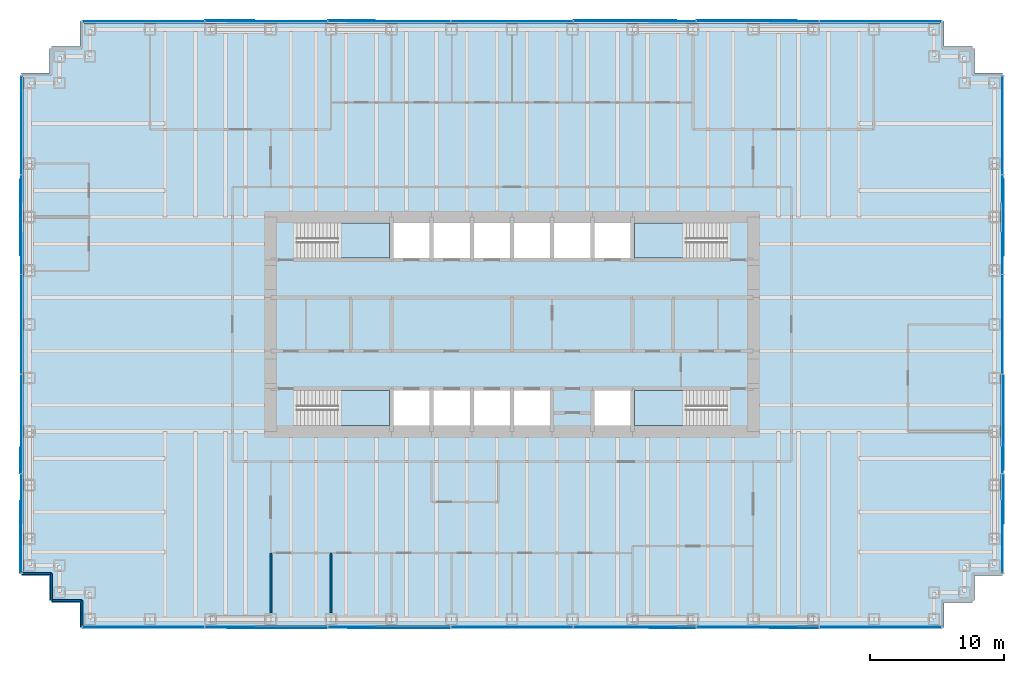
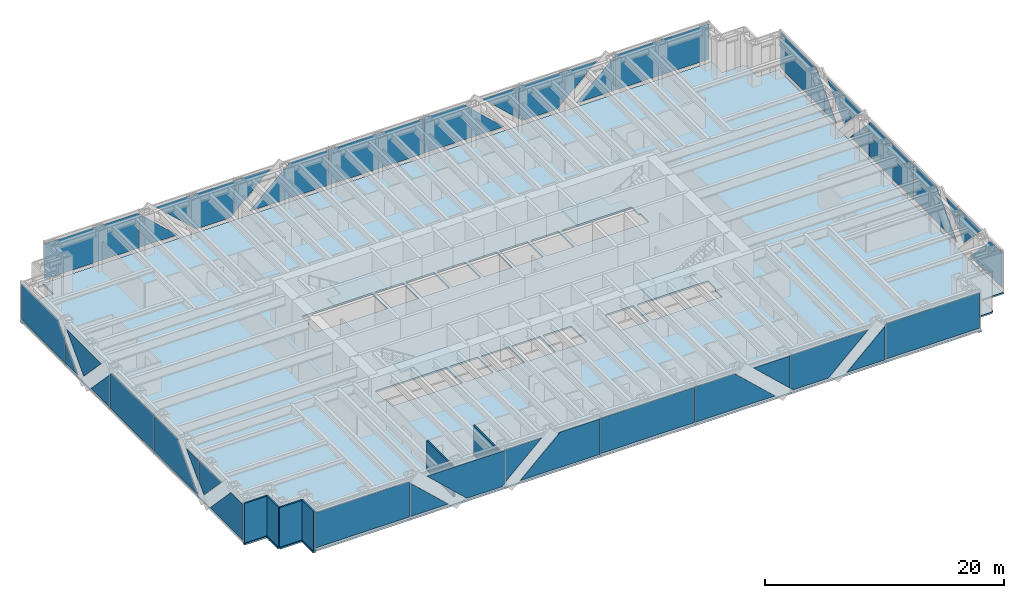
# One storey, part 10 of 15: 40 plates, 6 walls, 5 slabs, 8 elements without a shape of their own.
"""IFC4 building model written with IfcOpenShell, lengths in metres."""

from ifc_helpers import new_model, si_unit, direction, frame, frame_2d, origin, origin_2d, place, context, subcontext, project, spatial, polyline, rectangle, outline, extrude, material, layer, layer_set, type_object, element, aggregate, save


model = new_model("IFC4")

# Units and contexts
model_context = context("Model", 3, precision=1e-05, world=origin(), true_north=direction((0.0, 1.0)))
body_context = subcontext(model_context, "Body", "Model", "MODEL_VIEW")
ifc_project = project(units=[si_unit("LENGTHUNIT", "METRE"), si_unit("AREAUNIT", "SQUARE_METRE"), si_unit("VOLUMEUNIT", "CUBIC_METRE"), si_unit("PLANEANGLEUNIT", "RADIAN"), si_unit("MASSUNIT", "GRAM", prefix="KILO")], contexts=[model_context])

# Site, building, storey
site_placement = place(None, origin())
site = spatial("IfcSite", under=ifc_project, at=site_placement, CompositionType="ELEMENT")
building_placement = place(site_placement, origin())
building = spatial("IfcBuilding", under=site, at=building_placement, Name="Rheinbord Bourse Tower", CompositionType="ELEMENT")
storey_placement = place(building_placement, frame((0.0, 0.0, 113.10009765625)))
storey = spatial("IfcBuildingStorey", under=building, at=storey_placement, Name="L24", CompositionType="ELEMENT", Elevation=113.10009765625)

# Slab
ifc_material_1 = material(Name="Concrete C30/37", Category="concrete")
ifc_layer_1 = layer(ifc_material_1, 0.159912109375)
ifc_layer_set_1 = layer_set([ifc_layer_1], Name="COMPOSITE FLOOR SLAB 160")
slab_type_1 = type_object("IfcSlabType", Name="COMPOSITE FLOOR SLAB 160", PredefinedType="FLOOR", material=ifc_layer_set_1)
slab_1_placement = place(storey_placement, frame((0.0, 0.0, -0.16015625)))
element("IfcSlab", 1, at=slab_1_placement, inside=storey, type_object=slab_type_1, Name="Floor slab L24", PredefinedType="FLOOR", context=body_context, shape_type="SweptSolid", body=[
    extrude(outline(polyline([(1.64990234375, 3.39990234375), (1.5, 3.39990234375), (1.5, 5.25), (-0.60009765625, 5.25), (-0.60009765625, 5.550048828125), (-0.5, 5.550048828125), (-0.5, 42.449951171875), (-0.60009765625, 42.449951171875), (-0.60009765625, 42.75), (1.5, 42.75), (1.5, 44.60009765625), (1.64990234375, 44.60009765625), (1.64990234375, 44.75), (3.75, 44.75), (3.75, 46.60009765625), (4.050048828125, 46.60009765625), (4.050048828125, 46.5), (67.949951171875, 46.5), (67.949951171875, 46.60009765625), (68.25, 46.60009765625), (68.25, 44.75), (70.35009765625, 44.75), (70.35009765625, 44.60009765625), (70.5, 44.60009765625), (70.5, 42.75), (72.60009765625, 42.75), (72.60009765625, 42.449951171875), (72.5, 42.449951171875), (72.5, 5.550048828125), (72.60009765625, 5.550048828125), (72.60009765625, 5.25), (70.5, 5.25), (70.5, 3.39990234375), (70.35009765625, 3.39990234375), (70.35009765625, 3.25), (68.25, 3.25), (68.25, 1.39990234375), (67.949951171875, 1.39990234375), (67.949951171875, 1.5), (4.050048828125, 1.5), (4.050048828125, 1.39990234375), (3.75, 1.39990234375), (3.75, 3.25), (1.64990234375, 3.25), (1.64990234375, 3.39990234375)]), holes=[polyline([(19.949951171875, 19.050048828125), (26.85009765625, 19.050048828125), (26.85009765625, 16.449951171875), (20.10009765625, 16.449951171875), (20.10009765625, 17.64990234375), (19.949951171875, 17.64990234375), (19.949951171875, 19.050048828125)]), polyline([(26.85009765625, 31.550048828125), (26.85009765625, 28.949951171875), (19.949951171875, 28.949951171875), (19.949951171875, 30.35009765625), (20.10009765625, 30.35009765625), (20.10009765625, 31.550048828125), (26.85009765625, 31.550048828125)]), polyline([(45.14990234375, 16.449951171875), (45.14990234375, 19.050048828125), (52.050048828125, 19.050048828125), (52.050048828125, 17.64990234375), (51.89990234375, 17.64990234375), (51.89990234375, 16.449951171875), (45.14990234375, 16.449951171875)]), polyline([(52.050048828125, 28.949951171875), (45.14990234375, 28.949951171875), (45.14990234375, 31.550048828125), (51.89990234375, 31.550048828125), (51.89990234375, 30.35009765625), (52.050048828125, 30.35009765625), (52.050048828125, 28.949951171875)]), polyline([(27.14990234375, 16.449951171875), (27.14990234375, 19.050048828125), (29.85009765625, 19.050048828125), (29.85009765625, 16.449951171875), (27.14990234375, 16.449951171875)]), polyline([(27.14990234375, 28.949951171875), (27.14990234375, 31.550048828125), (29.85009765625, 31.550048828125), (29.85009765625, 28.949951171875), (27.14990234375, 28.949951171875)]), polyline([(30.14990234375, 16.449951171875), (30.14990234375, 19.050048828125), (32.85009765625, 19.050048828125), (32.85009765625, 16.449951171875), (30.14990234375, 16.449951171875)]), polyline([(30.14990234375, 28.949951171875), (30.14990234375, 31.550048828125), (32.85009765625, 31.550048828125), (32.85009765625, 28.949951171875), (30.14990234375, 28.949951171875)]), polyline([(33.14990234375, 16.449951171875), (33.14990234375, 19.050048828125), (35.85009765625, 19.050048828125), (35.85009765625, 16.449951171875), (33.14990234375, 16.449951171875)]), polyline([(33.14990234375, 28.949951171875), (33.14990234375, 31.550048828125), (35.85009765625, 31.550048828125), (35.85009765625, 28.949951171875), (33.14990234375, 28.949951171875)]), polyline([(36.14990234375, 16.449951171875), (36.14990234375, 19.050048828125), (38.85009765625, 19.050048828125), (38.85009765625, 16.449951171875), (36.14990234375, 16.449951171875)]), polyline([(36.14990234375, 28.949951171875), (36.14990234375, 31.550048828125), (38.85009765625, 31.550048828125), (38.85009765625, 28.949951171875), (36.14990234375, 28.949951171875)]), polyline([(39.14990234375, 28.949951171875), (39.14990234375, 31.550048828125), (41.85009765625, 31.550048828125), (41.85009765625, 28.949951171875), (39.14990234375, 28.949951171875)]), polyline([(42.14990234375, 16.449951171875), (42.14990234375, 19.050048828125), (44.85009765625, 19.050048828125), (44.85009765625, 16.449951171875), (42.14990234375, 16.449951171875)]), polyline([(42.14990234375, 28.949951171875), (42.14990234375, 31.550048828125), (44.85009765625, 31.550048828125), (44.85009765625, 28.949951171875), (42.14990234375, 28.949951171875)])]), origin(), (0.0, 0.0, 1.0), 0.16015625),
])

# Curtain wall, plates
ifc_material_2 = material(Name="Dark glass and black aluminium", Category="aluminium")
curtain_wall_type = type_object("IfcCurtainWallType", Name="CW2 DARK GLASS CURTAIN WALL", PredefinedType="USERDEFINED", material=ifc_material_2)
curtain_wall_1_placement = place(storey_placement, origin())
curtain_wall_1 = element("IfcCurtainWall", 2, at=curtain_wall_1_placement, inside=storey, type_object=curtain_wall_type, Name="Curtain wall CW2 S L24", ObjectType="UNITISED CURTAIN WALL", PredefinedType="USERDEFINED")
ifc_material_3 = material(Name="Dark tinted triple insulating glass", Category="glass")
ifc_layer_2 = layer(ifc_material_3, 0.050048828125)
ifc_layer_set_2 = layer_set([ifc_layer_2], Name="CW2 DARK GLASS PANEL")
plate_type = type_object("IfcPlateType", Name="CW2 DARK GLASS PANEL", PredefinedType="CURTAIN_PANEL", material=ifc_layer_set_2)
plate_1_placement = place(storey_placement, frame((36.0, 1.39990234375, 0.2998046875), z_axis=(0.0, 0.0, 1.0), x_axis=(1.0, 0.0, 0.0)))
plate_1 = element("IfcPlate", 3, at=plate_1_placement, type_object=plate_type, Name="CW2 panel 4.1", PredefinedType="CURTAIN_PANEL", context=body_context, shape_type="SweptSolid", body=[
    extrude(rectangle(XDim=9.101318359375, YDim=0.050048828125, at=origin_2d()), origin(), (0.0, 0.0, 1.0), 3.60009765625),
])
plate_2_placement = place(storey_placement, frame((13.035888671875, 1.375, 0.2998046875), z_axis=(0.0, 1.0, 0.0), x_axis=(-1.0, 0.0, 0.0)))
plate_2 = element("IfcPlate", 4, at=plate_2_placement, type_object=plate_type, Name="CW2 glass facet 1", PredefinedType="CURTAIN_PANEL", context=body_context, shape_type="SweptSolid", body=[
    extrude(outline(polyline([(0.0, 0.0), (9.06591796875, 0.0), (9.06591796875, 3.60009765625), (0.100830078125, 3.60009765625), (0.0, 3.505126953125), (0.0, 0.0)])), origin(), (0.0, 0.0, 1.0), 0.050048828125),
])
plate_3_placement = place(storey_placement, frame((13.10595703125, 1.375, 0.2998046875), z_axis=(0.0, 1.0, 0.0), x_axis=(0.0, 0.0, 1.0)))
plate_3 = element("IfcPlate", 5, at=plate_3_placement, type_object=plate_type, Name="CW2 glass facet 1", PredefinedType="CURTAIN_PANEL", context=body_context, shape_type="SweptSolid", body=[
    extrude(outline(polyline([(0.0, 0.0), (3.440185546875, 0.0), (0.0, 3.68603515625), (0.0, 0.0)])), origin(), (0.0, 0.0, 1.0), 0.050048828125),
])
plate_4_placement = place(storey_placement, frame((18.56494140625, 1.31982421875, 0.2998046875), z_axis=(0.0, 1.0, 0.0), x_axis=(-0.731027569533, 0.0, 0.682347926341)))
plate_4 = element("IfcPlate", 6, at=plate_4_placement, type_object=plate_type, Name="CW2 glass facet 2", PredefinedType="CURTAIN_PANEL", context=body_context, shape_type="SweptSolid", body=[
    extrude(outline(polyline([(0.0, 0.0), (5.276123046875, 0.0), (-0.20654296875, 5.11767578125), (-2.489013671875, 2.67236328125), (-2.463623046875, 2.299560546875), (0.0, 0.0)])), origin(), (0.0, 0.0, 1.0), 0.050048828125),
])
plate_5_placement = place(storey_placement, frame((22.278076171875, 1.375, 3.89990234375), z_axis=(0.0, 1.0, 0.0), x_axis=(1.0, 0.0, 0.0)))
plate_5 = element("IfcPlate", 7, at=plate_5_placement, type_object=plate_type, Name="CW2 glass facet 1", PredefinedType="CURTAIN_PANEL", context=body_context, shape_type="SweptSolid", body=[
    extrude(outline(polyline([(0.0, 0.0), (3.513916015625, 0.0), (0.0, 3.280029296875), (0.0, 0.0)])), origin(), (0.0, 0.0, 1.0), 0.050048828125),
])
plate_6_placement = place(storey_placement, frame((31.37890625, 1.31982421875, 3.89990234375), z_axis=(0.0, 1.0, 0.0), x_axis=(0.0, 0.0, -1.0)))
plate_6 = element("IfcPlate", 8, at=plate_6_placement, type_object=plate_type, Name="CW2 glass facet 2", PredefinedType="CURTAIN_PANEL", context=body_context, shape_type="SweptSolid", body=[
    extrude(outline(polyline([(0.0, 0.0), (3.60009765625, 0.0), (3.60009765625, 7.6708984375), (0.0, 3.81396484375), (0.0, 0.0)])), origin(), (0.0, 0.0, 1.0), 0.050048828125),
])
plate_7_placement = place(storey_placement, frame((40.62109375, 1.375, 0.2998046875), z_axis=(0.0, 1.0, 0.0), x_axis=(0.0, 0.0, 1.0)))
plate_7 = element("IfcPlate", 9, at=plate_7_placement, type_object=plate_type, Name="CW2 glass facet 1", PredefinedType="CURTAIN_PANEL", context=body_context, shape_type="SweptSolid", body=[
    extrude(outline(polyline([(0.0, 0.0), (3.60009765625, 0.0), (3.60009765625, 3.81396484375), (0.0, 7.6708984375), (0.0, 0.0)])), origin(), (0.0, 0.0, 1.0), 0.050048828125),
])
plate_8_placement = place(storey_placement, frame((49.721923828125, 1.31982421875, 3.89990234375), z_axis=(0.0, 1.0, 0.0), x_axis=(0.0, 0.0, -1.0)))
plate_8 = element("IfcPlate", 10, at=plate_8_placement, type_object=plate_type, Name="CW2 glass facet 2", PredefinedType="CURTAIN_PANEL", context=body_context, shape_type="SweptSolid", body=[
    extrude(outline(polyline([(0.0, 0.0), (3.280029296875, 0.0), (0.0, 3.513916015625), (0.0, 0.0)])), origin(), (0.0, 0.0, 1.0), 0.050048828125),
])
plate_9_placement = place(storey_placement, frame((50.06494140625, 1.375, 0.2998046875), z_axis=(0.0, 1.0, 0.0), x_axis=(-0.730555285006, 0.0, 0.682853553516)))
plate_9 = element("IfcPlate", 11, at=plate_9_placement, type_object=plate_type, Name="CW2 glass facet 1", PredefinedType="CURTAIN_PANEL", context=body_context, shape_type="SweptSolid", body=[
    extrude(outline(polyline([(0.0, 0.0), (0.37353515625, 0.0), (2.65771484375, 2.443603515625), (-2.821533203125, 7.565185546875), (-2.462158203125, 2.30126953125), (0.0, 0.0)])), origin(), (0.0, 0.0, 1.0), 0.050048828125),
])
plate_10_placement = place(storey_placement, frame((58.89404296875, 1.31982421875, 0.2998046875), z_axis=(0.0, 1.0, 0.0), x_axis=(-1.0, 0.0, 0.0)))
plate_10 = element("IfcPlate", 12, at=plate_10_placement, type_object=plate_type, Name="CW2 glass facet 2", PredefinedType="CURTAIN_PANEL", context=body_context, shape_type="SweptSolid", body=[
    extrude(outline(polyline([(0.0, 0.0), (3.68603515625, 0.0), (0.0, 3.440185546875), (0.0, 0.0)])), origin(), (0.0, 0.0, 1.0), 0.050048828125),
])
plate_11_placement = place(storey_placement, frame((68.030029296875, 1.375, 3.89990234375), z_axis=(0.0, 1.0, 0.0), x_axis=(0.0, 0.0, -1.0)))
plate_11 = element("IfcPlate", 13, at=plate_11_placement, type_object=plate_type, Name="CW2 glass facet 1", PredefinedType="CURTAIN_PANEL", context=body_context, shape_type="SweptSolid", body=[
    extrude(outline(polyline([(0.0, 0.0), (3.60009765625, 0.0), (3.60009765625, 9.06591796875), (0.094970703125, 9.06591796875), (0.0, 8.965087890625), (0.0, 0.0)])), origin(), (0.0, 0.0, 1.0), 0.050048828125),
])
aggregate(curtain_wall_1, [plate_1, plate_2, plate_3, plate_4, plate_5, plate_6, plate_7, plate_8, plate_9, plate_10, plate_11])

curtain_wall_2_placement = place(storey_placement, origin())
curtain_wall_2 = element("IfcCurtainWall", 14, at=curtain_wall_2_placement, inside=storey, type_object=curtain_wall_type, Name="Curtain wall CW2 E L24", ObjectType="UNITISED CURTAIN WALL", PredefinedType="USERDEFINED")
plate_12_placement = place(storey_placement, frame((72.625, 5.469970703125, 0.2998046875), z_axis=(-1.0, 0.0, 0.0), x_axis=(0.0, 0.0, 1.0)))
plate_12 = element("IfcPlate", 15, at=plate_12_placement, type_object=plate_type, Name="CW2 glass facet 1", PredefinedType="CURTAIN_PANEL", context=body_context, shape_type="SweptSolid", body=[
    extrude(outline(polyline([(0.0, 0.0), (3.60009765625, 0.0), (3.60009765625, 1.97998046875), (0.0, 5.408935546875), (0.0, 0.0)])), origin(), (0.0, 0.0, 1.0), 0.050048828125),
])
plate_13_placement = place(storey_placement, frame((72.68017578125, 12.804931640625, 3.89990234375), z_axis=(-1.0, 0.0, 0.0), x_axis=(0.0, 0.0, -1.0)))
plate_13 = element("IfcPlate", 16, at=plate_13_placement, type_object=plate_type, Name="CW2 glass facet 2", PredefinedType="CURTAIN_PANEL", context=body_context, shape_type="SweptSolid", body=[
    extrude(outline(polyline([(0.0, 0.0), (2.177978515625, 0.0), (3.02294921875, 0.804931640625), (0.0, 3.683837890625), (0.0, 0.0)])), origin(), (0.0, 0.0, 1.0), 0.050048828125),
])
plate_14_placement = place(storey_placement, frame((72.625, 12.875, 3.89990234375), z_axis=(-1.0, 0.0, 0.0), x_axis=(0.0, 1.0, 0.0)))
plate_14 = element("IfcPlate", 17, at=plate_14_placement, type_object=plate_type, Name="CW2 glass facet 1", PredefinedType="CURTAIN_PANEL", context=body_context, shape_type="SweptSolid", body=[
    extrude(outline(polyline([(0.0, 0.0), (2.00390625, 0.0), (0.0, 2.10400390625), (0.0, 0.0)])), origin(), (0.0, 0.0, 1.0), 0.050048828125),
])
plate_15_placement = place(storey_placement, frame((72.68017578125, 20.2451171875, 3.89990234375), z_axis=(-1.0, 0.0, 0.0), x_axis=(0.0, 0.0, -1.0)))
plate_15 = element("IfcPlate", 18, at=plate_15_placement, type_object=plate_type, Name="CW2 glass facet 2", PredefinedType="CURTAIN_PANEL", context=body_context, shape_type="SweptSolid", body=[
    extrude(outline(polyline([(0.0, 0.0), (3.60009765625, 0.0), (3.60009765625, 7.1240234375), (0.0, 3.695068359375), (0.0, 0.0)])), origin(), (0.0, 0.0, 1.0), 0.050048828125),
])
plate_16_placement = place(storey_placement, frame((72.625, 27.68505859375, 0.2998046875), z_axis=(-1.0, 0.0, 0.0), x_axis=(0.0, -1.0, 0.0)))
plate_16 = element("IfcPlate", 19, at=plate_16_placement, type_object=plate_type, Name="CW2 glass facet 1", PredefinedType="CURTAIN_PANEL", context=body_context, shape_type="SweptSolid", body=[
    extrude(outline(polyline([(0.0, 0.0), (7.3701171875, 0.0), (7.3701171875, 3.60009765625), (0.235107421875, 3.60009765625), (0.0, 3.35400390625), (0.0, 0.0)])), origin(), (0.0, 0.0, 1.0), 0.050048828125),
])
plate_17_placement = place(storey_placement, frame((72.625, 27.7548828125, 0.2998046875), z_axis=(-1.0, 0.0, 0.0), x_axis=(0.0, 0.0, 1.0)))
plate_17 = element("IfcPlate", 20, at=plate_17_placement, type_object=plate_type, Name="CW2 glass facet 1", PredefinedType="CURTAIN_PANEL", context=body_context, shape_type="SweptSolid", body=[
    extrude(outline(polyline([(0.0, 0.0), (3.280029296875, 0.0), (0.0, 3.1240234375), (0.0, 0.0)])), origin(), (0.0, 0.0, 1.0), 0.050048828125),
])
plate_18_placement = place(storey_placement, frame((72.68017578125, 34.87890625, 3.89990234375), z_axis=(-1.0, 0.0, 0.0), x_axis=(0.0, -0.68964348943, -0.724149057506)))
plate_18 = element("IfcPlate", 21, at=plate_18_placement, type_object=plate_type, Name="CW2 glass facet 2", PredefinedType="CURTAIN_PANEL", context=body_context, shape_type="SweptSolid", body=[
    extrude(outline(polyline([(0.0, 0.0), (4.174560546875, 0.0), (3.970947265625, 4.16943359375), (0.0, 0.0)])), origin(), (0.0, 0.0, 1.0), 0.050048828125),
])
plate_19_placement = place(storey_placement, frame((72.625, 35.125, 0.2998046875), z_axis=(-1.0, 0.0, 0.0), x_axis=(0.0, -1.0, 0.0)))
plate_19 = element("IfcPlate", 22, at=plate_19_placement, type_object=plate_type, Name="CW2 glass facet 3", PredefinedType="CURTAIN_PANEL", context=body_context, shape_type="SweptSolid", body=[
    extrude(outline(polyline([(0.0, 0.0), (2.00390625, 0.0), (0.0, 2.10400390625), (0.0, 0.0)])), origin(), (0.0, 0.0, 1.0), 0.050048828125),
])
plate_20_placement = place(storey_placement, frame((72.625, 42.530029296875, 3.89990234375), z_axis=(-1.0, 0.0, 0.0), x_axis=(0.0, 0.0, -1.0)))
plate_20 = element("IfcPlate", 23, at=plate_20_placement, type_object=plate_type, Name="CW2 glass facet 1", PredefinedType="CURTAIN_PANEL", context=body_context, shape_type="SweptSolid", body=[
    extrude(outline(polyline([(0.0, 0.0), (3.60009765625, 0.0), (3.60009765625, 7.3349609375), (1.422119140625, 7.3349609375), (0.0, 5.97998046875), (0.0, 0.0)])), origin(), (0.0, 0.0, 1.0), 0.050048828125),
])
aggregate(curtain_wall_2, [plate_12, plate_13, plate_14, plate_15, plate_16, plate_17, plate_18, plate_19, plate_20])

curtain_wall_3_placement = place(storey_placement, origin())
curtain_wall_3 = element("IfcCurtainWall", 24, at=curtain_wall_3_placement, inside=storey, type_object=curtain_wall_type, Name="Curtain wall CW2 N L24", ObjectType="UNITISED CURTAIN WALL", PredefinedType="USERDEFINED")
plate_21_placement = place(storey_placement, frame((36.0, 46.60009765625, 0.2998046875), z_axis=(0.0, 0.0, 1.0), x_axis=(-1.0, 0.0, 0.0)))
plate_21 = element("IfcPlate", 25, at=plate_21_placement, type_object=plate_type, Name="CW2 panel 4.1", PredefinedType="CURTAIN_PANEL", context=body_context, shape_type="SweptSolid", body=[
    extrude(rectangle(XDim=9.101318359375, YDim=0.050048828125, at=origin_2d()), origin(), (0.0, 0.0, 1.0), 3.60009765625),
])
plate_22_placement = place(storey_placement, frame((58.964111328125, 46.625, 0.2998046875), z_axis=(0.0, -1.0, 0.0), x_axis=(1.0, 0.0, 0.0)))
plate_22 = element("IfcPlate", 26, at=plate_22_placement, type_object=plate_type, Name="CW2 glass facet 1", PredefinedType="CURTAIN_PANEL", context=body_context, shape_type="SweptSolid", body=[
    extrude(outline(polyline([(0.0, 0.0), (9.06591796875, 0.0), (9.06591796875, 3.60009765625), (0.100830078125, 3.60009765625), (0.0, 3.505126953125), (0.0, 0.0)])), origin(), (0.0, 0.0, 1.0), 0.050048828125),
])
plate_23_placement = place(storey_placement, frame((58.89404296875, 46.625, 0.2998046875), z_axis=(0.0, -1.0, 0.0), x_axis=(0.0, 0.0, 1.0)))
plate_23 = element("IfcPlate", 27, at=plate_23_placement, type_object=plate_type, Name="CW2 glass facet 1", PredefinedType="CURTAIN_PANEL", context=body_context, shape_type="SweptSolid", body=[
    extrude(outline(polyline([(0.0, 0.0), (3.440185546875, 0.0), (0.0, 3.68603515625), (0.0, 0.0)])), origin(), (0.0, 0.0, 1.0), 0.050048828125),
])
plate_24_placement = place(storey_placement, frame((53.43505859375, 46.68017578125, 0.2998046875), z_axis=(0.0, -1.0, 0.0), x_axis=(0.731027569533, 0.0, 0.682347926341)))
plate_24 = element("IfcPlate", 28, at=plate_24_placement, type_object=plate_type, Name="CW2 glass facet 2", PredefinedType="CURTAIN_PANEL", context=body_context, shape_type="SweptSolid", body=[
    extrude(outline(polyline([(0.0, 0.0), (5.276123046875, 0.0), (-0.20654296875, 5.11767578125), (-2.489013671875, 2.67236328125), (-2.463623046875, 2.299560546875), (0.0, 0.0)])), origin(), (0.0, 0.0, 1.0), 0.050048828125),
])
plate_25_placement = place(storey_placement, frame((49.721923828125, 46.625, 3.89990234375), z_axis=(0.0, -1.0, 0.0), x_axis=(-1.0, 0.0, 0.0)))
plate_25 = element("IfcPlate", 29, at=plate_25_placement, type_object=plate_type, Name="CW2 glass facet 1", PredefinedType="CURTAIN_PANEL", context=body_context, shape_type="SweptSolid", body=[
    extrude(outline(polyline([(0.0, 0.0), (3.513916015625, 0.0), (0.0, 3.280029296875), (0.0, 0.0)])), origin(), (0.0, 0.0, 1.0), 0.050048828125),
])
plate_26_placement = place(storey_placement, frame((40.62109375, 46.68017578125, 3.89990234375), z_axis=(0.0, -1.0, 0.0), x_axis=(0.0, 0.0, -1.0)))
plate_26 = element("IfcPlate", 30, at=plate_26_placement, type_object=plate_type, Name="CW2 glass facet 2", PredefinedType="CURTAIN_PANEL", context=body_context, shape_type="SweptSolid", body=[
    extrude(outline(polyline([(0.0, 0.0), (3.60009765625, 0.0), (3.60009765625, 7.6708984375), (0.0, 3.81396484375), (0.0, 0.0)])), origin(), (0.0, 0.0, 1.0), 0.050048828125),
])
plate_27_placement = place(storey_placement, frame((31.37890625, 46.625, 0.2998046875), z_axis=(0.0, -1.0, 0.0), x_axis=(0.0, 0.0, 1.0)))
plate_27 = element("IfcPlate", 31, at=plate_27_placement, type_object=plate_type, Name="CW2 glass facet 1", PredefinedType="CURTAIN_PANEL", context=body_context, shape_type="SweptSolid", body=[
    extrude(outline(polyline([(0.0, 0.0), (3.60009765625, 0.0), (3.60009765625, 3.81396484375), (0.0, 7.6708984375), (0.0, 0.0)])), origin(), (0.0, 0.0, 1.0), 0.050048828125),
])
plate_28_placement = place(storey_placement, frame((22.278076171875, 46.68017578125, 3.89990234375), z_axis=(0.0, -1.0, 0.0), x_axis=(0.0, 0.0, -1.0)))
plate_28 = element("IfcPlate", 32, at=plate_28_placement, type_object=plate_type, Name="CW2 glass facet 2", PredefinedType="CURTAIN_PANEL", context=body_context, shape_type="SweptSolid", body=[
    extrude(outline(polyline([(0.0, 0.0), (3.280029296875, 0.0), (0.0, 3.513916015625), (0.0, 0.0)])), origin(), (0.0, 0.0, 1.0), 0.050048828125),
])
plate_29_placement = place(storey_placement, frame((21.93505859375, 46.625, 0.2998046875), z_axis=(0.0, -1.0, 0.0), x_axis=(0.730555285006, 0.0, 0.682853553516)))
plate_29 = element("IfcPlate", 33, at=plate_29_placement, type_object=plate_type, Name="CW2 glass facet 1", PredefinedType="CURTAIN_PANEL", context=body_context, shape_type="SweptSolid", body=[
    extrude(outline(polyline([(0.0, 0.0), (0.37353515625, 0.0), (2.65771484375, 2.443603515625), (-2.821533203125, 7.565185546875), (-2.462158203125, 2.30126953125), (0.0, 0.0)])), origin(), (0.0, 0.0, 1.0), 0.050048828125),
])
plate_30_placement = place(storey_placement, frame((13.10595703125, 46.68017578125, 0.2998046875), z_axis=(0.0, -1.0, 0.0), x_axis=(1.0, 0.0, 0.0)))
plate_30 = element("IfcPlate", 34, at=plate_30_placement, type_object=plate_type, Name="CW2 glass facet 2", PredefinedType="CURTAIN_PANEL", context=body_context, shape_type="SweptSolid", body=[
    extrude(outline(polyline([(0.0, 0.0), (3.68603515625, 0.0), (0.0, 3.440185546875), (0.0, 0.0)])), origin(), (0.0, 0.0, 1.0), 0.050048828125),
])
plate_31_placement = place(storey_placement, frame((3.969970703125, 46.625, 3.89990234375), z_axis=(0.0, -1.0, 0.0), x_axis=(0.0, 0.0, -1.0)))
plate_31 = element("IfcPlate", 35, at=plate_31_placement, type_object=plate_type, Name="CW2 glass facet 1", PredefinedType="CURTAIN_PANEL", context=body_context, shape_type="SweptSolid", body=[
    extrude(outline(polyline([(0.0, 0.0), (3.60009765625, 0.0), (3.60009765625, 9.06591796875), (0.094970703125, 9.06591796875), (0.0, 8.965087890625), (0.0, 0.0)])), origin(), (0.0, 0.0, 1.0), 0.050048828125),
])
aggregate(curtain_wall_3, [plate_21, plate_22, plate_23, plate_24, plate_25, plate_26, plate_27, plate_28, plate_29, plate_30, plate_31])

curtain_wall_4_placement = place(storey_placement, origin())
curtain_wall_4 = element("IfcCurtainWall", 36, at=curtain_wall_4_placement, inside=storey, type_object=curtain_wall_type, Name="Curtain wall CW2 W L24", ObjectType="UNITISED CURTAIN WALL", PredefinedType="USERDEFINED")
plate_32_placement = place(storey_placement, frame((-0.625, 35.195068359375, 0.2998046875), z_axis=(1.0, 0.0, 0.0), x_axis=(0.0, 1.0, 0.0)))
plate_32 = element("IfcPlate", 37, at=plate_32_placement, type_object=plate_type, Name="CW2 glass facet 1", PredefinedType="CURTAIN_PANEL", context=body_context, shape_type="SweptSolid", body=[
    extrude(outline(polyline([(0.0, 0.0), (7.3349609375, 0.0), (7.3349609375, 3.60009765625), (1.35498046875, 3.60009765625), (0.0, 2.177978515625), (0.0, 0.0)])), origin(), (0.0, 0.0, 1.0), 0.050048828125),
])
plate_33_placement = place(storey_placement, frame((-0.625, 35.125, 0.2998046875), z_axis=(1.0, 0.0, 0.0), x_axis=(0.0, 0.0, 1.0)))
plate_33 = element("IfcPlate", 38, at=plate_33_placement, type_object=plate_type, Name="CW2 glass facet 1", PredefinedType="CURTAIN_PANEL", context=body_context, shape_type="SweptSolid", body=[
    extrude(outline(polyline([(0.0, 0.0), (2.10400390625, 0.0), (0.0, 2.00390625), (0.0, 0.0)])), origin(), (0.0, 0.0, 1.0), 0.050048828125),
])
plate_34_placement = place(storey_placement, frame((-0.68017578125, 29.12109375, 3.89990234375), z_axis=(1.0, 0.0, 0.0), x_axis=(0.0, 0.68964348943, -0.724149057506)))
plate_34 = element("IfcPlate", 39, at=plate_34_placement, type_object=plate_type, Name="CW2 glass facet 2", PredefinedType="CURTAIN_PANEL", context=body_context, shape_type="SweptSolid", body=[
    extrude(outline(polyline([(0.0, 0.0), (4.174560546875, 0.0), (3.970947265625, 4.16943359375), (0.0, 0.0)])), origin(), (0.0, 0.0, 1.0), 0.050048828125),
])
plate_35_placement = place(storey_placement, frame((-0.625, 27.7548828125, 0.2998046875), z_axis=(1.0, 0.0, 0.0), x_axis=(0.0, 1.0, 0.0)))
plate_35 = element("IfcPlate", 40, at=plate_35_placement, type_object=plate_type, Name="CW2 glass facet 3", PredefinedType="CURTAIN_PANEL", context=body_context, shape_type="SweptSolid", body=[
    extrude(outline(polyline([(0.0, 0.0), (3.1240234375, 0.0), (0.0, 3.280029296875), (0.0, 0.0)])), origin(), (0.0, 0.0, 1.0), 0.050048828125),
])
plate_36_placement = place(storey_placement, frame((-0.625, 20.31494140625, 3.89990234375), z_axis=(1.0, 0.0, 0.0), x_axis=(0.0, 0.0, -1.0)))
plate_36 = element("IfcPlate", 41, at=plate_36_placement, type_object=plate_type, Name="CW2 glass facet 1", PredefinedType="CURTAIN_PANEL", context=body_context, shape_type="SweptSolid", body=[
    extrude(outline(polyline([(0.0, 0.0), (3.60009765625, 0.0), (3.60009765625, 7.3701171875), (0.24609375, 7.3701171875), (0.0, 7.135009765625), (0.0, 0.0)])), origin(), (0.0, 0.0, 1.0), 0.050048828125),
])
plate_37_placement = place(storey_placement, frame((-0.625, 20.2451171875, 0.2998046875), z_axis=(1.0, 0.0, 0.0), x_axis=(0.0, 0.0, 1.0)))
plate_37 = element("IfcPlate", 42, at=plate_37_placement, type_object=plate_type, Name="CW2 glass facet 1", PredefinedType="CURTAIN_PANEL", context=body_context, shape_type="SweptSolid", body=[
    extrude(outline(polyline([(0.0, 0.0), (3.60009765625, 0.0), (3.60009765625, 3.695068359375), (0.0, 7.1240234375), (0.0, 0.0)])), origin(), (0.0, 0.0, 1.0), 0.050048828125),
])
plate_38_placement = place(storey_placement, frame((-0.68017578125, 12.875, 3.89990234375), z_axis=(1.0, 0.0, 0.0), x_axis=(0.0, 0.0, -1.0)))
plate_38 = element("IfcPlate", 43, at=plate_38_placement, type_object=plate_type, Name="CW2 glass facet 2", PredefinedType="CURTAIN_PANEL", context=body_context, shape_type="SweptSolid", body=[
    extrude(outline(polyline([(0.0, 0.0), (2.10400390625, 0.0), (0.0, 2.00390625), (0.0, 0.0)])), origin(), (0.0, 0.0, 1.0), 0.050048828125),
])
plate_39_placement = place(storey_placement, frame((-0.625, 12.804931640625, 3.89990234375), z_axis=(1.0, 0.0, 0.0), x_axis=(0.0, -1.0, 0.0)))
plate_39 = element("IfcPlate", 44, at=plate_39_placement, type_object=plate_type, Name="CW2 glass facet 1", PredefinedType="CURTAIN_PANEL", context=body_context, shape_type="SweptSolid", body=[
    extrude(outline(polyline([(0.0, 0.0), (3.683837890625, 0.0), (0.804931640625, 3.02294921875), (0.0, 2.177978515625), (0.0, 0.0)])), origin(), (0.0, 0.0, 1.0), 0.050048828125),
])
plate_40_placement = place(storey_placement, frame((-0.68017578125, 5.469970703125, 3.89990234375), z_axis=(1.0, 0.0, 0.0), x_axis=(0.0, 0.0, -1.0)))
plate_40 = element("IfcPlate", 45, at=plate_40_placement, type_object=plate_type, Name="CW2 glass facet 2", PredefinedType="CURTAIN_PANEL", context=body_context, shape_type="SweptSolid", body=[
    extrude(outline(polyline([(0.0, 0.0), (3.60009765625, 0.0), (3.60009765625, 5.408935546875), (0.0, 1.97998046875), (0.0, 0.0)])), origin(), (0.0, 0.0, 1.0), 0.050048828125),
])
aggregate(curtain_wall_4, [plate_32, plate_33, plate_34, plate_35, plate_36, plate_37, plate_38, plate_39, plate_40])

# Stair, slab
ifc_material_4 = material(Name="Concrete C30/37", Category="concrete")
stair_type = type_object("IfcStairType", Name="CORE STAIR HALF TURN 4200", PredefinedType="HALF_TURN_STAIR", material=ifc_material_4)
stair_1_placement = place(storey_placement, origin())
stair_1 = element("IfcStair", 46, at=stair_1_placement, inside=storey, type_object=stair_type, Name="Stair ST1 L24, type CS6", PredefinedType="HALF_TURN_STAIR")
ifc_material_5 = material(Name="Concrete C30/37", Category="concrete")
ifc_layer_3 = layer(ifc_material_5, 0.199951171875)
ifc_layer_set_3 = layer_set([ifc_layer_3], Name="STAIR LANDING 200")
slab_type_2 = type_object("IfcSlabType", Name="STAIR LANDING 200", PredefinedType="LANDING", material=ifc_layer_set_3)
slab_2_placement = place(storey_placement, frame((0.0, 0.0, 1.89990234375)))
slab_2 = element("IfcSlab", 47, at=slab_2_placement, type_object=slab_type_2, Name="Half landing ST1 L24", PredefinedType="LANDING", context=body_context, shape_type="SweptSolid", body=[
    extrude(outline(polyline([(23.030029296875, 16.449951171875), (26.85009765625, 16.449951171875), (26.85009765625, 19.050048828125), (21.748046875, 19.050048828125), (21.748046875, 17.85009765625), (23.030029296875, 17.85009765625), (23.030029296875, 16.449951171875)])), origin(), (0.0, 0.0, 1.0), 0.199951171875),
])
aggregate(stair_1, [slab_2])

stair_2_placement = place(storey_placement, origin())
stair_2 = element("IfcStair", 48, at=stair_2_placement, inside=storey, type_object=stair_type, Name="Stair ST2 L24, type CS6", PredefinedType="HALF_TURN_STAIR")
slab_3_placement = place(storey_placement, frame((0.0, 0.0, 1.89990234375)))
slab_3 = element("IfcSlab", 49, at=slab_3_placement, type_object=slab_type_2, Name="Half landing ST2 L24", PredefinedType="LANDING", context=body_context, shape_type="SweptSolid", body=[
    extrude(outline(polyline([(21.748046875, 28.949951171875), (26.85009765625, 28.949951171875), (26.85009765625, 31.550048828125), (23.030029296875, 31.550048828125), (23.030029296875, 30.14990234375), (21.748046875, 30.14990234375), (21.748046875, 28.949951171875)])), origin(), (0.0, 0.0, 1.0), 0.199951171875),
])
aggregate(stair_2, [slab_3])

stair_3_placement = place(storey_placement, origin())
stair_3 = element("IfcStair", 50, at=stair_3_placement, inside=storey, type_object=stair_type, Name="Stair ST3 L24, type CS6", PredefinedType="HALF_TURN_STAIR")
slab_4_placement = place(storey_placement, frame((0.0, 0.0, 1.89990234375)))
slab_4 = element("IfcSlab", 51, at=slab_4_placement, type_object=slab_type_2, Name="Half landing ST3 L24", PredefinedType="LANDING", context=body_context, shape_type="SweptSolid", body=[
    extrude(outline(polyline([(45.14990234375, 16.449951171875), (48.969970703125, 16.449951171875), (48.969970703125, 17.85009765625), (50.251953125, 17.85009765625), (50.251953125, 19.050048828125), (45.14990234375, 19.050048828125), (45.14990234375, 16.449951171875)])), origin(), (0.0, 0.0, 1.0), 0.199951171875),
])
aggregate(stair_3, [slab_4])

stair_4_placement = place(storey_placement, origin())
stair_4 = element("IfcStair", 52, at=stair_4_placement, inside=storey, type_object=stair_type, Name="Stair ST4 L24, type CS6", PredefinedType="HALF_TURN_STAIR")
slab_5_placement = place(storey_placement, frame((0.0, 0.0, 1.89990234375)))
slab_5 = element("IfcSlab", 53, at=slab_5_placement, type_object=slab_type_2, Name="Half landing ST4 L24", PredefinedType="LANDING", context=body_context, shape_type="SweptSolid", body=[
    extrude(outline(polyline([(45.14990234375, 28.949951171875), (50.251953125, 28.949951171875), (50.251953125, 30.14990234375), (48.969970703125, 30.14990234375), (48.969970703125, 31.550048828125), (45.14990234375, 31.550048828125), (45.14990234375, 28.949951171875)])), origin(), (0.0, 0.0, 1.0), 0.199951171875),
])
aggregate(stair_4, [slab_5])

# Walls
ifc_material_6 = material(Name="Black metal rainscreen panel", Category="aluminium")
ifc_layer_4 = layer(ifc_material_6, 0.14990234375)
ifc_layer_set_4 = layer_set([ifc_layer_4], Name="CORNER PIER CLADDING 150")
wall_type_1 = type_object("IfcWallType", Name="CORNER PIER CLADDING 150", PredefinedType="ELEMENTEDWALL", material=ifc_layer_set_4)
wall_1_placement = place(storey_placement, frame((-0.60009765625, 5.39990234375, 0.0), z_axis=(0.0, 0.0, 1.0), x_axis=(1.0, 0.0, 0.0)))
element("IfcWall", 54, at=wall_1_placement, inside=storey, type_object=wall_type_1, Name="Corner pier cladding L24 17", PredefinedType="ELEMENTEDWALL", context=body_context, shape_type="SweptSolid", body=[
    extrude(rectangle(XDim=2.25, YDim=0.14990234375, at=frame_2d((1.125, 0.0))), origin(), (0.0, 0.0, 1.0), 4.039794921875),
])
wall_2_placement = place(storey_placement, frame((1.64990234375, 5.39990234375, 0.0), z_axis=(0.0, 0.0, 1.0), x_axis=(0.0, -1.0, 0.0)))
element("IfcWall", 55, at=wall_2_placement, inside=storey, type_object=wall_type_1, Name="Corner pier cladding L24 18", PredefinedType="ELEMENTEDWALL", context=body_context, shape_type="SweptSolid", body=[
    extrude(rectangle(XDim=2.0, YDim=0.14990234375, at=frame_2d((1.0, 0.0))), origin(), (0.0, 0.0, 1.0), 4.039794921875),
])
wall_3_placement = place(storey_placement, frame((1.64990234375, 3.39990234375, 0.0), z_axis=(0.0, 0.0, 1.0), x_axis=(1.0, 0.0, 0.0)))
element("IfcWall", 56, at=wall_3_placement, inside=storey, type_object=wall_type_1, Name="Corner pier cladding L24 19", PredefinedType="ELEMENTEDWALL", context=body_context, shape_type="SweptSolid", body=[
    extrude(rectangle(XDim=2.25, YDim=0.14990234375, at=frame_2d((1.125, 0.0))), origin(), (0.0, 0.0, 1.0), 4.039794921875),
])
wall_4_placement = place(storey_placement, frame((3.89990234375, 3.39990234375, 0.0), z_axis=(0.0, 0.0, 1.0), x_axis=(0.0, -1.0, 0.0)))
element("IfcWall", 57, at=wall_4_placement, inside=storey, type_object=wall_type_1, Name="Corner pier cladding L24 20", PredefinedType="ELEMENTEDWALL", context=body_context, shape_type="SweptSolid", body=[
    extrude(rectangle(XDim=2.0, YDim=0.14990234375, at=frame_2d((1.0, 0.0))), origin(), (0.0, 0.0, 1.0), 4.039794921875),
])
ifc_material_7 = material(Name="Gypsum board partition", Category="gypsum board")
ifc_layer_5 = layer(ifc_material_7, 0.14990234375)
ifc_layer_set_5 = layer_set([ifc_layer_5], Name="PARTITION 150")
wall_type_2 = type_object("IfcWallType", Name="PARTITION 150", PredefinedType="PARTITIONING", material=ifc_layer_set_5)
for number, where, z_axis, x_axis, name in (
    (58, (18.0, 2.449951171875, 0.0), (0.0, 0.0, 1.0), (0.0, 1.0, 0.0), "Partition L24-19"),
    (59, (22.5, 2.449951171875, 0.0), (0.0, 0.0, 1.0), (0.0, 1.0, 0.0), "Partition L24-22"),
):
    element("IfcWall", number, at=place(storey_placement, frame(where, z_axis=z_axis, x_axis=x_axis)), inside=storey, type_object=wall_type_2, Name=name, PredefinedType="PARTITIONING", context=body_context, shape_type="SweptSolid", body=[
        extrude(rectangle(XDim=4.5, YDim=0.14990234375, at=frame_2d((2.25, 0.0))), origin(), (0.0, 0.0, 1.0), 3.0),
    ])

save(model, "model.ifc")
